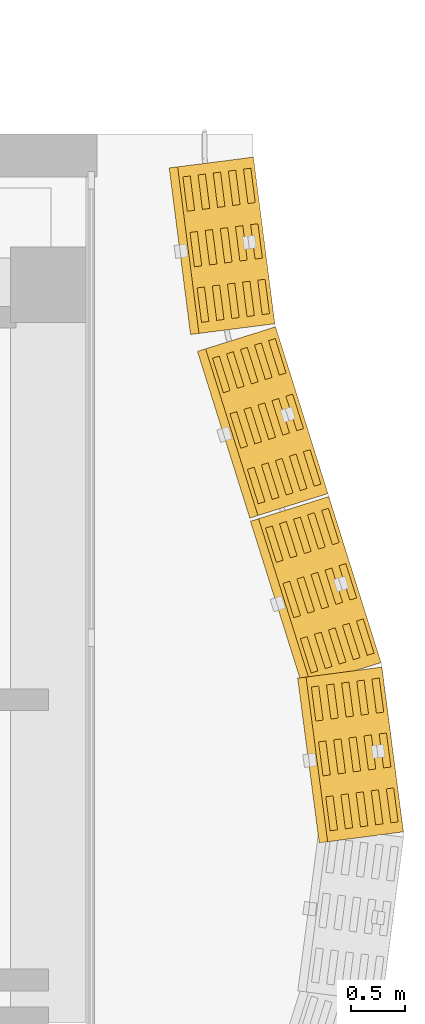
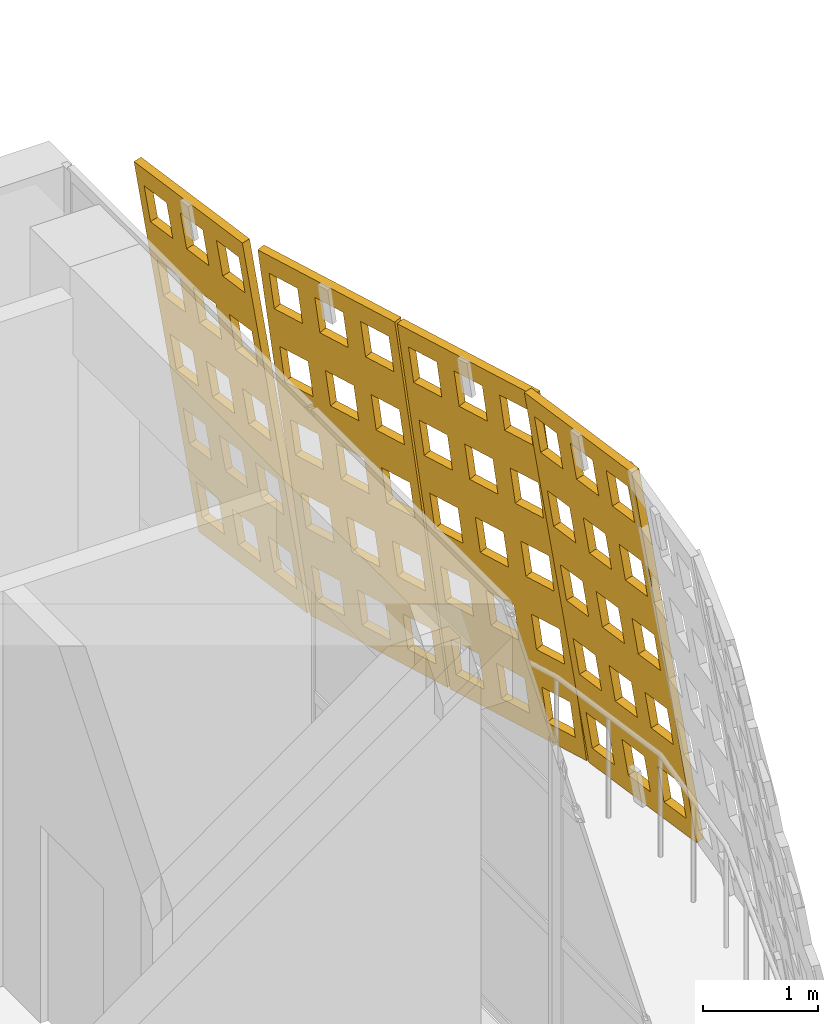
# One storey, part 162 of 162: 4 coverings.
"""IFC4 building model written with IfcOpenShell, lengths in metres."""

from ifc_helpers import new_model, si_unit, direction, frame, origin, place, context, subcontext, project, spatial, polyline, outline, extrude, material, layer, layer_set, type_object, element, save


model = new_model("IFC4")

# Units and contexts
model_context = context("Model", 3, precision=1e-05, world=origin(), true_north=direction((0.0, 1.0)))
body_context = subcontext(model_context, "Body", "Model", "MODEL_VIEW")
ifc_project = project(units=[si_unit("LENGTHUNIT", "METRE"), si_unit("AREAUNIT", "SQUARE_METRE"), si_unit("VOLUMEUNIT", "CUBIC_METRE"), si_unit("PLANEANGLEUNIT", "RADIAN"), si_unit("MASSUNIT", "GRAM", prefix="KILO")], contexts=[model_context])

# Site, building, storey
site_placement = place(None, origin())
site = spatial("IfcSite", under=ifc_project, at=site_placement, CompositionType="ELEMENT")
building_placement = place(site_placement, origin())
building = spatial("IfcBuilding", under=site, at=building_placement, Name="Rain Tree Exposition and Congress Centre", CompositionType="ELEMENT")
storey_placement = place(building_placement, frame((0.0, 0.0, 6.0)))
storey = spatial("IfcBuildingStorey", under=building, at=storey_placement, Name="L01", CompositionType="ELEMENT", Elevation=6.0)

# Coverings
ifc_material = material(Name="Perforated terracotta", Category="masonry")
ifc_layer = layer(ifc_material, 0.080078125)
ifc_layer_set = layer_set([ifc_layer], Name="Perforated terracotta")
covering_type = type_object("IfcCoveringType", Name="Terracotta screen 80", PredefinedType="CLADDING", material=ifc_layer_set)
covering_1_placement = place(storey_placement, frame((272.09814453125, 94.499755859375, 0.01318359375), z_axis=(-0.9779030419, -0.128349774249, -0.165021138321), x_axis=(0.130133906157, -0.991496427865, 0.0)))
element("IfcCovering", 1, at=covering_1_placement, inside=storey, type_object=covering_type, Name="concourse/screen/L01/183", PredefinedType="CLADDING", context=body_context, shape_type="SweptSolid", body=[
    extrude(outline(polyline([(-1.56640625, 0.0), (-1.56640625, 4.295166015625), (-0.025390625, 4.295166015625), (-0.025390625, 0.0), (-1.56640625, 0.0)]), holes=[polyline([(-0.123046875, 0.2216796875), (-0.123046875, 0.63720703125), (-0.44140625, 0.63720703125), (-0.44140625, 0.2216796875), (-0.123046875, 0.2216796875)]), polyline([(-0.123046875, 1.080810546875), (-0.123046875, 1.496337890625), (-0.44140625, 1.496337890625), (-0.44140625, 1.080810546875), (-0.123046875, 1.080810546875)]), polyline([(-0.123046875, 1.939697265625), (-0.123046875, 2.35546875), (-0.44140625, 2.35546875), (-0.44140625, 1.939697265625), (-0.123046875, 1.939697265625)]), polyline([(-0.123046875, 2.798583984375), (-0.123046875, 3.21435546875), (-0.44140625, 3.21435546875), (-0.44140625, 2.798583984375), (-0.123046875, 2.798583984375)]), polyline([(-0.123046875, 3.65771484375), (-0.123046875, 4.073486328125), (-0.44140625, 4.073486328125), (-0.44140625, 3.65771484375), (-0.123046875, 3.65771484375)]), polyline([(-0.63671875, 0.2216796875), (-0.63671875, 0.63720703125), (-0.955078125, 0.63720703125), (-0.955078125, 0.2216796875), (-0.63671875, 0.2216796875)]), polyline([(-0.63671875, 1.080810546875), (-0.63671875, 1.496337890625), (-0.955078125, 1.496337890625), (-0.955078125, 1.080810546875), (-0.63671875, 1.080810546875)]), polyline([(-0.63671875, 1.939697265625), (-0.63671875, 2.35546875), (-0.955078125, 2.35546875), (-0.955078125, 1.939697265625), (-0.63671875, 1.939697265625)]), polyline([(-0.63671875, 2.798583984375), (-0.63671875, 3.21435546875), (-0.955078125, 3.21435546875), (-0.955078125, 2.798583984375), (-0.63671875, 2.798583984375)]), polyline([(-0.63671875, 3.65771484375), (-0.63671875, 4.073486328125), (-0.955078125, 4.073486328125), (-0.955078125, 3.65771484375), (-0.63671875, 3.65771484375)]), polyline([(-1.150146484375, 0.2216796875), (-1.150146484375, 0.63720703125), (-1.46875, 0.63720703125), (-1.46875, 0.2216796875), (-1.150146484375, 0.2216796875)]), polyline([(-1.150146484375, 1.080810546875), (-1.150146484375, 1.496337890625), (-1.46875, 1.496337890625), (-1.46875, 1.080810546875), (-1.150146484375, 1.080810546875)]), polyline([(-1.150146484375, 1.939697265625), (-1.150146484375, 2.35546875), (-1.46875, 2.35546875), (-1.46875, 1.939697265625), (-1.150146484375, 1.939697265625)]), polyline([(-1.150146484375, 2.798583984375), (-1.150146484375, 3.21435546875), (-1.46875, 3.21435546875), (-1.46875, 2.798583984375), (-1.150146484375, 2.798583984375)]), polyline([(-1.150146484375, 3.65771484375), (-1.150146484375, 4.073486328125), (-1.46875, 4.073486328125), (-1.46875, 3.65771484375), (-1.150146484375, 3.65771484375)])]), origin(), (0.0, 0.0, 1.0), 0.079833984375),
])
covering_2_placement = place(storey_placement, frame((271.893310546875, 96.074462890625, 0.0126953125), z_axis=(-0.941684688936, -0.296569528658, -0.158985726703), x_axis=(0.300390227601, -0.953816392794, 0.0)))
element("IfcCovering", 2, at=covering_2_placement, inside=storey, type_object=covering_type, Name="concourse/screen/L01/184", PredefinedType="CLADDING", context=body_context, shape_type="SweptSolid", body=[
    extrude(outline(polyline([(-1.635986328125, 0.0), (-1.635986328125, 4.291259765625), (-0.02197265625, 4.291259765625), (-0.02197265625, 0.0), (-1.635986328125, 0.0)]), holes=[polyline([(-0.124267578125, 0.221435546875), (-0.124267578125, 0.63671875), (-0.457763671875, 0.63671875), (-0.457763671875, 0.221435546875), (-0.124267578125, 0.221435546875)]), polyline([(-0.124267578125, 1.07958984375), (-0.124267578125, 1.4951171875), (-0.457763671875, 1.4951171875), (-0.457763671875, 1.07958984375), (-0.124267578125, 1.07958984375)]), polyline([(-0.124267578125, 1.93798828125), (-0.124267578125, 2.353271484375), (-0.457763671875, 2.353271484375), (-0.457763671875, 1.93798828125), (-0.124267578125, 1.93798828125)]), polyline([(-0.124267578125, 2.796142578125), (-0.124267578125, 3.21142578125), (-0.457763671875, 3.21142578125), (-0.457763671875, 2.796142578125), (-0.124267578125, 2.796142578125)]), polyline([(-0.124267578125, 3.654541015625), (-0.124267578125, 4.06982421875), (-0.457763671875, 4.06982421875), (-0.457763671875, 3.654541015625), (-0.124267578125, 3.654541015625)]), polyline([(-0.662109375, 0.221435546875), (-0.662109375, 0.63671875), (-0.995849609375, 0.63671875), (-0.995849609375, 0.221435546875), (-0.662109375, 0.221435546875)]), polyline([(-0.662109375, 1.07958984375), (-0.662109375, 1.4951171875), (-0.995849609375, 1.4951171875), (-0.995849609375, 1.07958984375), (-0.662109375, 1.07958984375)]), polyline([(-0.662109375, 1.93798828125), (-0.662109375, 2.353271484375), (-0.995849609375, 2.353271484375), (-0.995849609375, 1.93798828125), (-0.662109375, 1.93798828125)]), polyline([(-0.662109375, 2.796142578125), (-0.662109375, 3.21142578125), (-0.995849609375, 3.21142578125), (-0.995849609375, 2.796142578125), (-0.662109375, 2.796142578125)]), polyline([(-0.662109375, 3.654541015625), (-0.662109375, 4.06982421875), (-0.995849609375, 4.06982421875), (-0.995849609375, 3.654541015625), (-0.662109375, 3.654541015625)]), polyline([(-1.2001953125, 0.221435546875), (-1.2001953125, 0.63671875), (-1.53369140625, 0.63671875), (-1.53369140625, 0.221435546875), (-1.2001953125, 0.221435546875)]), polyline([(-1.2001953125, 1.07958984375), (-1.2001953125, 1.4951171875), (-1.53369140625, 1.4951171875), (-1.53369140625, 1.07958984375), (-1.2001953125, 1.07958984375)]), polyline([(-1.2001953125, 1.93798828125), (-1.2001953125, 2.353271484375), (-1.53369140625, 2.353271484375), (-1.53369140625, 1.93798828125), (-1.2001953125, 1.93798828125)]), polyline([(-1.2001953125, 2.796142578125), (-1.2001953125, 3.21142578125), (-1.53369140625, 3.21142578125), (-1.53369140625, 2.796142578125), (-1.2001953125, 2.796142578125)]), polyline([(-1.2001953125, 3.654541015625), (-1.2001953125, 4.06982421875), (-1.53369140625, 4.06982421875), (-1.53369140625, 3.654541015625), (-1.2001953125, 3.654541015625)])]), origin(), (0.0, 0.0, 1.0), 0.079833984375),
])
covering_3_placement = place(storey_placement, frame((271.3984375, 97.6494140625, 0.0126953125), z_axis=(-0.942029390639, -0.295717964052, -0.158529217842), x_axis=(0.29950542383, -0.954094597562, 0.0)))
element("IfcCovering", 3, at=covering_3_placement, inside=storey, type_object=covering_type, Name="concourse/screen/L01/185", PredefinedType="CLADDING", context=body_context, shape_type="SweptSolid", body=[
    extrude(outline(polyline([(-1.635986328125, 0.0), (-1.635986328125, 4.291259765625), (-0.014892578125, 4.291259765625), (-0.014892578125, 0.0), (-1.635986328125, 0.0)]), holes=[polyline([(-0.11767578125, 0.221435546875), (-0.11767578125, 0.63671875), (-0.45263671875, 0.63671875), (-0.45263671875, 0.221435546875), (-0.11767578125, 0.221435546875)]), polyline([(-0.11767578125, 1.07958984375), (-0.11767578125, 1.4951171875), (-0.45263671875, 1.4951171875), (-0.45263671875, 1.07958984375), (-0.11767578125, 1.07958984375)]), polyline([(-0.11767578125, 1.93798828125), (-0.11767578125, 2.353271484375), (-0.45263671875, 2.353271484375), (-0.45263671875, 1.93798828125), (-0.11767578125, 1.93798828125)]), polyline([(-0.11767578125, 2.796142578125), (-0.11767578125, 3.21142578125), (-0.45263671875, 3.21142578125), (-0.45263671875, 2.796142578125), (-0.11767578125, 2.796142578125)]), polyline([(-0.11767578125, 3.654541015625), (-0.11767578125, 4.06982421875), (-0.45263671875, 4.06982421875), (-0.45263671875, 3.654541015625), (-0.11767578125, 3.654541015625)]), polyline([(-0.657958984375, 0.221435546875), (-0.657958984375, 0.63671875), (-0.992919921875, 0.63671875), (-0.992919921875, 0.221435546875), (-0.657958984375, 0.221435546875)]), polyline([(-0.657958984375, 1.07958984375), (-0.657958984375, 1.4951171875), (-0.992919921875, 1.4951171875), (-0.992919921875, 1.07958984375), (-0.657958984375, 1.07958984375)]), polyline([(-0.657958984375, 1.93798828125), (-0.657958984375, 2.353271484375), (-0.992919921875, 2.353271484375), (-0.992919921875, 1.93798828125), (-0.657958984375, 1.93798828125)]), polyline([(-0.657958984375, 2.796142578125), (-0.657958984375, 3.21142578125), (-0.992919921875, 3.21142578125), (-0.992919921875, 2.796142578125), (-0.657958984375, 2.796142578125)]), polyline([(-0.657958984375, 3.654541015625), (-0.657958984375, 4.06982421875), (-0.992919921875, 4.06982421875), (-0.992919921875, 3.654541015625), (-0.657958984375, 3.654541015625)]), polyline([(-1.1982421875, 0.221435546875), (-1.1982421875, 0.63671875), (-1.533203125, 0.63671875), (-1.533203125, 0.221435546875), (-1.1982421875, 0.221435546875)]), polyline([(-1.1982421875, 1.07958984375), (-1.1982421875, 1.4951171875), (-1.533203125, 1.4951171875), (-1.533203125, 1.07958984375), (-1.1982421875, 1.07958984375)]), polyline([(-1.1982421875, 1.93798828125), (-1.1982421875, 2.353271484375), (-1.533203125, 2.353271484375), (-1.533203125, 1.93798828125), (-1.1982421875, 1.93798828125)]), polyline([(-1.1982421875, 2.796142578125), (-1.1982421875, 3.21142578125), (-1.533203125, 3.21142578125), (-1.533203125, 2.796142578125), (-1.1982421875, 2.796142578125)]), polyline([(-1.1982421875, 3.654541015625), (-1.1982421875, 4.06982421875), (-1.533203125, 4.06982421875), (-1.533203125, 3.654541015625), (-1.1982421875, 3.654541015625)])]), origin(), (0.0, 0.0, 1.0), 0.080078125),
])
covering_4_placement = place(storey_placement, frame((270.903076171875, 99.224609375, 0.01318359375), z_axis=(-0.978282259159, -0.125342414455, -0.165085131233), x_axis=(0.127086122318, -0.991891686382, 0.0)))
element("IfcCovering", 4, at=covering_4_placement, inside=storey, type_object=covering_type, Name="concourse/screen/L01/186", PredefinedType="CLADDING", context=body_context, shape_type="SweptSolid", body=[
    extrude(outline(polyline([(-1.5732421875, 0.0), (-1.5732421875, 4.295166015625), (-0.014892578125, 4.295166015625), (-0.014892578125, 0.0), (-1.5732421875, 0.0)]), holes=[polyline([(-0.11376953125, 0.2216796875), (-0.11376953125, 0.63720703125), (-0.435791015625, 0.63720703125), (-0.435791015625, 0.2216796875), (-0.11376953125, 0.2216796875)]), polyline([(-0.11376953125, 1.080810546875), (-0.11376953125, 1.496337890625), (-0.435791015625, 1.496337890625), (-0.435791015625, 1.080810546875), (-0.11376953125, 1.080810546875)]), polyline([(-0.11376953125, 1.939697265625), (-0.11376953125, 2.35546875), (-0.435791015625, 2.35546875), (-0.435791015625, 1.939697265625), (-0.11376953125, 1.939697265625)]), polyline([(-0.11376953125, 2.798583984375), (-0.11376953125, 3.21435546875), (-0.435791015625, 3.21435546875), (-0.435791015625, 2.798583984375), (-0.11376953125, 2.798583984375)]), polyline([(-0.11376953125, 3.65771484375), (-0.11376953125, 4.073486328125), (-0.435791015625, 4.073486328125), (-0.435791015625, 3.65771484375), (-0.11376953125, 3.65771484375)]), polyline([(-0.633056640625, 0.2216796875), (-0.633056640625, 0.63720703125), (-0.955078125, 0.63720703125), (-0.955078125, 0.2216796875), (-0.633056640625, 0.2216796875)]), polyline([(-0.633056640625, 1.080810546875), (-0.633056640625, 1.496337890625), (-0.955078125, 1.496337890625), (-0.955078125, 1.080810546875), (-0.633056640625, 1.080810546875)]), polyline([(-0.633056640625, 1.939697265625), (-0.633056640625, 2.35546875), (-0.955078125, 2.35546875), (-0.955078125, 1.939697265625), (-0.633056640625, 1.939697265625)]), polyline([(-0.633056640625, 2.798583984375), (-0.633056640625, 3.21435546875), (-0.955078125, 3.21435546875), (-0.955078125, 2.798583984375), (-0.633056640625, 2.798583984375)]), polyline([(-0.633056640625, 3.65771484375), (-0.633056640625, 4.073486328125), (-0.955078125, 4.073486328125), (-0.955078125, 3.65771484375), (-0.633056640625, 3.65771484375)]), polyline([(-1.152587890625, 0.2216796875), (-1.152587890625, 0.63720703125), (-1.474609375, 0.63720703125), (-1.474609375, 0.2216796875), (-1.152587890625, 0.2216796875)]), polyline([(-1.152587890625, 1.080810546875), (-1.152587890625, 1.496337890625), (-1.474609375, 1.496337890625), (-1.474609375, 1.080810546875), (-1.152587890625, 1.080810546875)]), polyline([(-1.152587890625, 1.939697265625), (-1.152587890625, 2.35546875), (-1.474609375, 2.35546875), (-1.474609375, 1.939697265625), (-1.152587890625, 1.939697265625)]), polyline([(-1.152587890625, 2.798583984375), (-1.152587890625, 3.21435546875), (-1.474609375, 3.21435546875), (-1.474609375, 2.798583984375), (-1.152587890625, 2.798583984375)]), polyline([(-1.152587890625, 3.65771484375), (-1.152587890625, 4.073486328125), (-1.474609375, 4.073486328125), (-1.474609375, 3.65771484375), (-1.152587890625, 3.65771484375)])]), origin(), (0.0, 0.0, 1.0), 0.079833984375),
])

save(model, "model.ifc")
